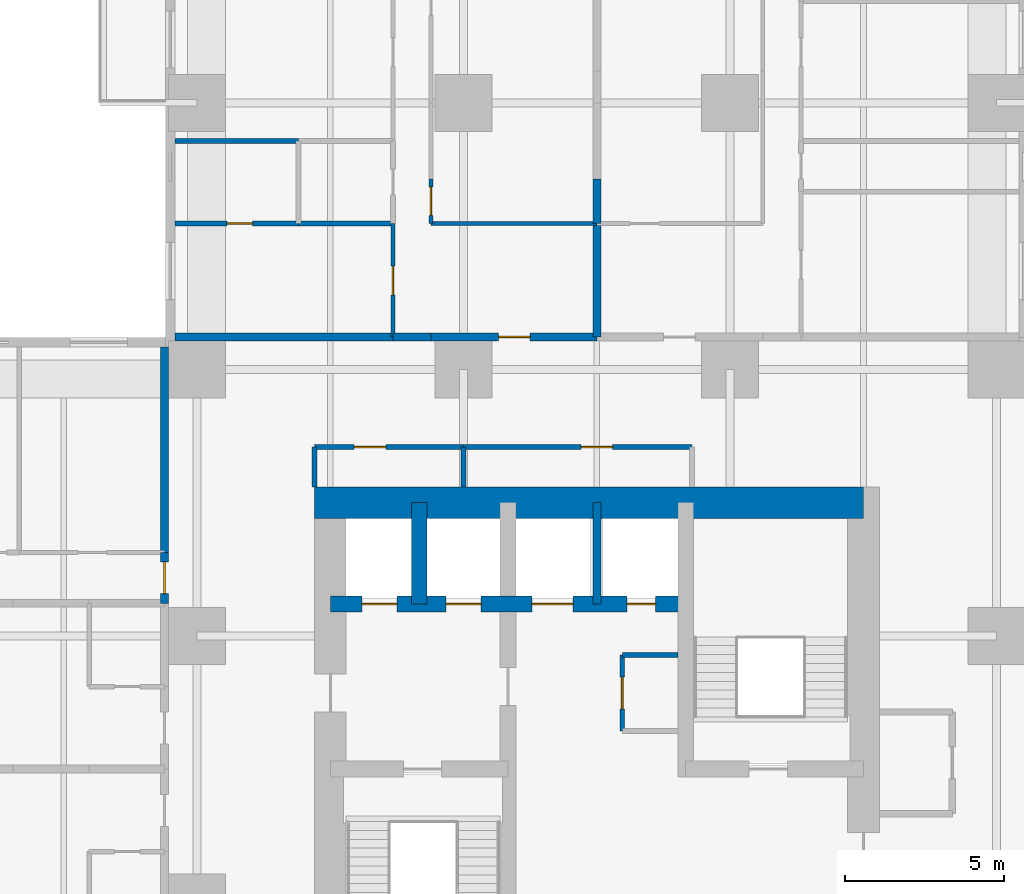
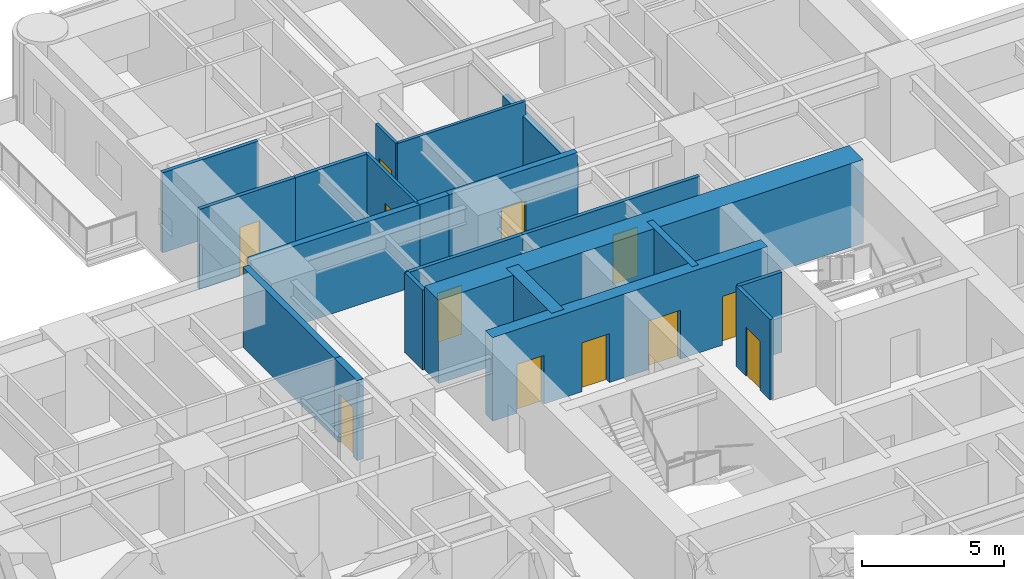
# One storey, part 12 of 17: 23 walls, 12 doors, 12 openings.
"""IFC4 building model written with IfcOpenShell, lengths in metres."""

import ifcopenshell
import ifcopenshell.guid

model = None  # the IFC model being written
_history = None  # IfcOwnerHistory: only IFC2X3 demands one
_inside = {}  # id of a spatial element -> (the spatial element, [elements in it])
_under = {}  # id of a project, library or spatial element -> (it, [spatial elements below it])
_declared = {}  # id of a project -> (the project, [libraries it declares])
_typed = {}  # id of a type object -> (the type object, [elements of that type])
_made_of = {}  # id of a material, layer set ... -> (it, [elements and type objects made of it])


def new_model(schema):
    """Start an empty IFC model of exactly this schema.

    Asked for "IFC4X3", IfcOpenShell would pick the latest addendum, in which some entities
    have other attributes; the version numbers below select the first issue.
    IFC2X3 requires an IfcOwnerHistory on every rooted entity: one is made here for all.
    """
    global model, _history
    if schema == "IFC4X3":
        model = ifcopenshell.file(schema_version=(4, 3, 0, 0))
    else:
        model = ifcopenshell.file(schema=schema)
    _inside.clear()
    _under.clear()
    _declared.clear()
    _typed.clear()
    _made_of.clear()
    _history = None
    if model.schema == "IFC2X3":
        org = make("IfcOrganization", Name="unknown")
        user = make(
            "IfcPersonAndOrganization",
            ThePerson=make("IfcPerson", FamilyName="unknown"),
            TheOrganization=org,
        )
        app = make(
            "IfcApplication",
            ApplicationDeveloper=org,
            Version="unknown",
            ApplicationFullName="unknown",
            ApplicationIdentifier="unknown",
        )
        _history = make(
            "IfcOwnerHistory",
            OwningUser=user,
            OwningApplication=app,
            ChangeAction="ADDED",
            CreationDate=0,
        )
    return model


def make(cls, **values):
    """One entity of the class cls with the attributes given. An attribute that is None is left unset."""
    return model.create_entity(
        cls, **{name: value for name, value in values.items() if value is not None}
    )


def rooted(cls, **values):
    """An entity with a GlobalId (a new one), such as an element, a storey or a relation."""
    return make(cls, GlobalId=ifcopenshell.guid.new(), OwnerHistory=_history, **values)


def si_unit(unit_type, name, prefix=None):
    """IfcSIUnit, for example si_unit("LENGTHUNIT", "METRE", prefix="MILLI")."""
    return make("IfcSIUnit", UnitType=unit_type, Prefix=prefix, Name=name)


def assignment(units):
    """IfcUnitAssignment: the units of a project."""
    return None if units is None else make("IfcUnitAssignment", Units=units)


def point(xyz):
    """IfcCartesianPoint."""
    return None if xyz is None else make("IfcCartesianPoint", Coordinates=xyz)


def direction(xyz):
    """IfcDirection."""
    return None if xyz is None else make("IfcDirection", DirectionRatios=xyz)


def frame(location, z_axis=None, x_axis=None):
    """IfcAxis2Placement3D, a coordinate frame: its origin and axes. An axis left out is left unset."""
    return make(
        "IfcAxis2Placement3D",
        Location=point(location),
        Axis=direction(z_axis),
        RefDirection=direction(x_axis),
    )


def frame_2d(location, x_axis=None):
    """IfcAxis2Placement2D, a coordinate frame in the plane: its origin and x axis."""
    return make(
        "IfcAxis2Placement2D", Location=point(location), RefDirection=direction(x_axis)
    )


def origin():
    """The frame at (0, 0, 0) with its axes left unset."""
    return frame((0.0, 0.0, 0.0))


def place(relative_to, where):
    """IfcLocalPlacement: puts the frame where relative to a parent placement (None: the world)."""
    return make(
        "IfcLocalPlacement", PlacementRelTo=relative_to, RelativePlacement=where
    )


def context(
    kind, dimensions, precision=None, world=None, true_north=None, identifier=None
):
    """IfcGeometricRepresentationContext, for example the 3D "Model" context."""
    return make(
        "IfcGeometricRepresentationContext",
        ContextIdentifier=identifier,
        ContextType=kind,
        CoordinateSpaceDimension=dimensions,
        Precision=precision,
        WorldCoordinateSystem=world,
        TrueNorth=true_north,
    )


def subcontext(parent, identifier, kind, view, scale=None):
    """IfcGeometricRepresentationSubContext, for example "Body" below "Model"."""
    return make(
        "IfcGeometricRepresentationSubContext",
        ContextIdentifier=identifier,
        ContextType=kind,
        ParentContext=parent,
        TargetScale=scale,
        TargetView=view,
    )


def project(units=None, contexts=None):
    """IfcProject with its units and contexts."""
    return rooted(
        "IfcProject",
        Name="project",
        RepresentationContexts=contexts,
        UnitsInContext=assignment(units),
    )


def spatial(cls, under=None, at=None, **own):
    """A site, building, storey or space (cls), placed at a placement, below another one or the project."""
    s = rooted(cls, ObjectPlacement=at, **own)
    if under is not None:
        _under.setdefault(under.id(), (under, []))[1].append(s)
    return s


def profile(cls, at=None, kind="AREA", **sizes):
    """A parametric profile (cls). Its sizes go by their IFC names, for example OverallWidth=200.0."""
    return make(cls, ProfileType=kind, Position=at, **sizes)


def rectangle(**sizes):
    """IfcRectangleProfileDef."""
    return profile("IfcRectangleProfileDef", **sizes)


def extrude(swept, where, along, depth):
    """IfcExtrudedAreaSolid: the profile swept, set in the frame where, extruded along a direction by depth."""
    return make(
        "IfcExtrudedAreaSolid",
        SweptArea=swept,
        Position=where,
        ExtrudedDirection=direction(along),
        Depth=depth,
    )


def shape(context_of_items, identifier, shape_type, items):
    """IfcShapeRepresentation: the items that make up one representation, for example the "Body"."""
    return make(
        "IfcShapeRepresentation",
        ContextOfItems=context_of_items,
        RepresentationIdentifier=identifier,
        RepresentationType=shape_type,
        Items=items,
    )


def material(Name=None, Category=None):
    """IfcMaterial."""
    return make("IfcMaterial", Name=Name, Category=Category)


def layer(
    of_material, thickness, ventilated=None, Name=None, Category=None, Priority=None
):
    """IfcMaterialLayer: one layer of a wall or slab, of a material (None: an air gap)."""
    return make(
        "IfcMaterialLayer",
        Material=of_material,
        LayerThickness=thickness,
        IsVentilated=ventilated,
        Name=Name,
        Category=Category,
        Priority=Priority,
    )


def layer_set(layers, Name=None):
    """IfcMaterialLayerSet."""
    return make("IfcMaterialLayerSet", MaterialLayers=layers, LayerSetName=Name)


def made_of(thing, what):
    """Note that an element or type object is made of a material, layer set ...; save() writes the relation."""
    if what is not None:
        _made_of.setdefault(what.id(), (what, []))[1].append(thing)
    return thing


def type_object(cls, material=None, **own):
    """A type object (cls), such as IfcWallType, which elements share."""
    return made_of(rooted(cls, **own), material)


def element(
    cls,
    number,
    at=None,
    inside=None,
    cuts=None,
    type_object=None,
    material=None,
    context=None,
    identifier="Body",
    shape_type=None,
    held_by="IfcProductDefinitionShape",
    body=None,
    shapes=None,
    **own,
):
    """One element of the class cls, such as IfcWall. Its Tag is "e" and its number.

    at: its placement. inside: the storey or other place that contains it. cuts: it is an
    opening in that element (IfcRelVoidsElement). A single representation is given by context,
    identifier, shape_type and body (its items); several are given by shapes. held_by: the class
    of the entity that holds the representations. save() writes the other relations.
    """
    e = rooted(cls, Tag="e%d" % number, ObjectPlacement=at, **own)
    if body is not None:
        shapes = [shape(context, identifier, shape_type, body)]
    if shapes is not None:
        e.Representation = make(held_by, Representations=shapes)
    if inside is not None:
        _inside.setdefault(inside.id(), (inside, []))[1].append(e)
    if cuts is not None:
        rooted(
            "IfcRelVoidsElement", RelatingBuildingElement=cuts, RelatedOpeningElement=e
        )
    if type_object is not None:
        _typed.setdefault(type_object.id(), (type_object, []))[1].append(e)
    return made_of(e, material)


def fill(opening, filler):
    """IfcRelFillsElement: the door or window that sits in an opening."""
    return rooted(
        "IfcRelFillsElement",
        RelatingOpeningElement=opening,
        RelatedBuildingElement=filler,
    )


def aggregate(whole, parts):
    """IfcRelAggregates: a whole, such as a stair, and the parts it consists of."""
    return rooted("IfcRelAggregates", RelatingObject=whole, RelatedObjects=parts)


def save(model, path):
    """Write the relations noted so far, then the file.

    IfcRelAggregates (storeys below a building ...), IfcRelContainedInSpatialStructure (elements
    in a storey), IfcRelDefinesByType, IfcRelAssociatesMaterial and IfcRelDeclares: one each for
    every whole, place, type object, material and project.
    """
    for whole, parts in _under.values():
        aggregate(whole, parts)
    for where, things in _inside.values():
        rooted(
            "IfcRelContainedInSpatialStructure",
            RelatedElements=things,
            RelatingStructure=where,
        )
    for kind, things in _typed.values():
        rooted("IfcRelDefinesByType", RelatedObjects=things, RelatingType=kind)
    for what, things in _made_of.values():
        rooted("IfcRelAssociatesMaterial", RelatedObjects=things, RelatingMaterial=what)
    for by, libraries in _declared.values():
        rooted("IfcRelDeclares", RelatingContext=by, RelatedDefinitions=libraries)
    model.write(path)


model = new_model("IFC4")

# Units and contexts
model_context = context("Model", 3, precision=1e-05, world=origin(), true_north=direction((0.0, 1.0)))
body_context = subcontext(model_context, "Body", "Model", "MODEL_VIEW")
ifc_project = project(units=[si_unit("LENGTHUNIT", "METRE"), si_unit("AREAUNIT", "SQUARE_METRE"), si_unit("VOLUMEUNIT", "CUBIC_METRE"), si_unit("PLANEANGLEUNIT", "RADIAN"), si_unit("MASSUNIT", "GRAM", prefix="KILO")], contexts=[model_context])

# Site, building, storey
site_placement = place(None, origin())
site = spatial("IfcSite", under=ifc_project, at=site_placement, CompositionType="ELEMENT")
building_placement = place(site_placement, origin())
building = spatial("IfcBuilding", under=site, at=building_placement, Name="Torre Alcanfor", CompositionType="ELEMENT")
storey_placement = place(building_placement, frame((0.0, 0.0, 74.10009765625)))
storey = spatial("IfcBuildingStorey", under=building, at=storey_placement, Name="L18", CompositionType="ELEMENT", Elevation=74.10009765625)

# Wall, opening, door
ifc_material_1 = material(Name="Concrete block masonry, hollow blocks NMX-C-404 9 MPa", Category="masonry")
ifc_layer_1 = layer(ifc_material_1, 0.25)
ifc_layer_set_1 = layer_set([ifc_layer_1], Name="Apartment entrance wall 250 EI 60")
wall_type_1 = type_object("IfcWallType", Name="Apartment entrance wall 250 EI 60", PredefinedType="PARTITIONING", material=ifc_layer_set_1)
wall_1_placement = place(storey_placement, frame((24.1708984375, 43.02490234375, 0.0), z_axis=(0.0, 0.0, 1.0), x_axis=(1.0, 0.0, 0.0)))
wall_1 = element("IfcWall", 1, at=wall_1_placement, inside=storey, type_object=wall_type_1, Name="Partition L18-CORR / L18-N1-ZAG", PredefinedType="PARTITIONING", context=body_context, shape_type="SweptSolid", body=[
    extrude(rectangle(XDim=5.22900390625, YDim=0.25, at=frame_2d((2.614501953125, 0.0))), origin(), (0.0, 0.0, 1.0), 3.449951171875),
])
opening_1_placement = place(wall_1_placement, frame((2.12890625, 0.0, 0.0)))
opening_1 = element("IfcOpeningElement", 2, at=opening_1_placement, cuts=wall_1, Name="Opening D-A1", PredefinedType="OPENING", context=body_context, shape_type="SweptSolid", body=[
    extrude(rectangle(XDim=1.0, YDim=2.10009765625, at=frame_2d((0.5, 1.050048828125))), frame((0.0, 0.135009765625, 0.0), z_axis=(0.0, -1.0, 0.0), x_axis=(1.0, 0.0, 0.0)), (0.0, 0.0, 1.0), 0.27001953125),
])
ifc_material_2 = material(Name="Galvanised steel sheet ASTM A653", Category="steel")
door_type_1 = type_object("IfcDoorType", Name="Apartment entrance door FD60 1000x2100", OperationType="SINGLE_SWING_LEFT", PredefinedType="DOOR", material=ifc_material_2)
door_1_placement = place(opening_1_placement, origin())
door_1 = element("IfcDoor", 3, at=door_1_placement, inside=storey, type_object=door_type_1, Name="Apartment entrance L18-N1", OperationType="SINGLE_SWING_RIGHT", OverallHeight=2.10009765625, OverallWidth=1.0, PredefinedType="DOOR", context=body_context, shape_type="SweptSolid", body=[
    extrude(rectangle(XDim=1.0, YDim=2.10009765625, at=frame_2d((0.5, 1.050048828125))), frame((0.0, 0.02490234375, 0.0), z_axis=(0.0, -1.0, 0.0), x_axis=(1.0, 0.0, 0.0)), (0.0, 0.0, 1.0), 0.050048828125),
])
fill(opening_1, door_1)

# Walls
wall_2_placement = place(storey_placement, frame((22.970947265625, 43.02490234375, 0.0), z_axis=(0.0, 0.0, 1.0), x_axis=(1.0, 0.0, 0.0)))
element("IfcWall", 4, at=wall_2_placement, inside=storey, type_object=wall_type_1, Name="Partition L18-CORR / L18-N1-HALL", PredefinedType="PARTITIONING", context=body_context, shape_type="SweptSolid", body=[
    extrude(rectangle(XDim=1.199951171875, YDim=0.25, at=frame_2d((0.60009765625, 0.0))), origin(), (0.0, 0.0, 1.0), 3.449951171875),
])
wall_3_placement = place(storey_placement, frame((16.10009765625, 43.02490234375, 0.0), z_axis=(0.0, 0.0, 1.0), x_axis=(1.0, 0.0, 0.0)))
element("IfcWall", 5, at=wall_3_placement, inside=storey, type_object=wall_type_1, Name="Partition L18-CORR / L18-N1-SERV", PredefinedType="PARTITIONING", context=body_context, shape_type="SweptSolid", body=[
    extrude(rectangle(XDim=6.870849609375, YDim=0.25, at=frame_2d((3.435546875, 0.0))), origin(), (0.0, 0.0, 1.0), 3.449951171875),
])

# Wall, opening, door
wall_4_placement = place(storey_placement, frame((15.77490234375, 34.62890625, 0.0), z_axis=(0.0, 0.0, 1.0), x_axis=(0.0, 1.0, 0.0)))
wall_4 = element("IfcWall", 6, at=wall_4_placement, inside=storey, type_object=wall_type_1, Name="Partition L18-CORR / L18-W2B-HALL", PredefinedType="PARTITIONING", context=body_context, shape_type="SweptSolid", body=[
    extrude(rectangle(XDim=1.60009765625, YDim=0.25, at=frame_2d((0.800048828125, 0.0))), origin(), (0.0, 0.0, 1.0), 3.449951171875),
])
opening_2_placement = place(wall_4_placement, frame((0.300048828125, 0.0, 0.0)))
opening_2 = element("IfcOpeningElement", 7, at=opening_2_placement, cuts=wall_4, Name="Opening D-A1", PredefinedType="OPENING", context=body_context, shape_type="SweptSolid", body=[
    extrude(rectangle(XDim=1.0, YDim=2.10009765625, at=frame_2d((0.5, 1.050048828125))), frame((0.0, 0.135009765625, 0.0), z_axis=(0.0, -1.0, 0.0), x_axis=(1.0, 0.0, 0.0)), (0.0, 0.0, 1.0), 0.27001953125),
])
door_2_placement = place(opening_2_placement, origin())
door_2 = element("IfcDoor", 8, at=door_2_placement, inside=storey, type_object=door_type_1, Name="Apartment entrance L18-W2B", OperationType="SINGLE_SWING_LEFT", OverallHeight=2.10009765625, OverallWidth=1.0, PredefinedType="DOOR", context=body_context, shape_type="SweptSolid", body=[
    extrude(rectangle(XDim=1.0, YDim=2.10009765625, at=frame_2d((0.5, 1.050048828125))), frame((0.0, 0.02490234375, 0.0), z_axis=(0.0, -1.0, 0.0), x_axis=(1.0, 0.0, 0.0)), (0.0, 0.0, 1.0), 0.050048828125),
])
fill(opening_2, door_2)

# Walls
wall_5_placement = place(storey_placement, frame((15.77490234375, 36.22900390625, 0.0), z_axis=(0.0, 0.0, 1.0), x_axis=(0.0, 1.0, 0.0)))
element("IfcWall", 9, at=wall_5_placement, inside=storey, type_object=wall_type_1, Name="Partition L18-CORR / L18-W2B-MASTER", PredefinedType="PARTITIONING", context=body_context, shape_type="SweptSolid", body=[
    extrude(rectangle(XDim=6.470947265625, YDim=0.25, at=frame_2d((3.2353515625, 0.0))), origin(), (0.0, 0.0, 1.0), 3.449951171875),
])
ifc_material_3 = material(Name="Gypsum board on steel studs", Category="steel")
ifc_layer_2 = layer(ifc_material_3, 0.1201171875)
ifc_layer_set_2 = layer_set([ifc_layer_2], Name="Apartment partition 120")
wall_type_2 = type_object("IfcWallType", Name="Apartment partition 120", PredefinedType="PARTITIONING", material=ifc_layer_set_2)
wall_6_placement = place(storey_placement, frame((29.39990234375, 46.60009765625, 0.0), z_axis=(0.0, 0.0, 1.0), x_axis=(-1.0, 0.0, 0.0)))
element("IfcWall", 10, at=wall_6_placement, inside=storey, type_object=wall_type_2, Name="Partition L18-N1-ZAG / L18-N1-LAUND", PredefinedType="PARTITIONING", context=body_context, shape_type="SweptSolid", body=[
    extrude(rectangle(XDim=5.22900390625, YDim=0.1201171875, at=frame_2d((2.614501953125, 0.0))), origin(), (0.0, 0.0, 1.0), 3.449951171875),
])

# Wall, opening, door
wall_7_placement = place(storey_placement, frame((24.1708984375, 48.0, 0.0), z_axis=(0.0, 0.0, 1.0), x_axis=(0.0, -1.0, 0.0)))
wall_7 = element("IfcWall", 11, at=wall_7_placement, inside=storey, type_object=wall_type_2, Name="Partition L18-N1-LAUND / L18-N1-HALL", PredefinedType="PARTITIONING", context=body_context, shape_type="SweptSolid", body=[
    extrude(rectangle(XDim=1.39990234375, YDim=0.1201171875, at=frame_2d((0.699951171875, 0.0))), origin(), (0.0, 0.0, 1.0), 3.449951171875),
])
opening_3_placement = place(wall_7_placement, frame((0.25, 0.0, 0.0)))
opening_3 = element("IfcOpeningElement", 12, at=opening_3_placement, cuts=wall_7, Name="Opening D-R1", PredefinedType="OPENING", context=body_context, shape_type="SweptSolid", body=[
    extrude(rectangle(XDim=0.89990234375, YDim=2.10009765625, at=frame_2d((0.449951171875, 1.050048828125))), frame((0.0, 0.070068359375, 0.0), z_axis=(0.0, -1.0, 0.0), x_axis=(1.0, 0.0, 0.0)), (0.0, 0.0, 1.0), 0.14013671875),
])
ifc_material_4 = material(Name="Timber", Category="wood")
door_type_2 = type_object("IfcDoorType", Name="Internal door 900x2100", OperationType="SINGLE_SWING_LEFT", PredefinedType="DOOR", material=ifc_material_4)
door_3_placement = place(opening_3_placement, origin())
door_3 = element("IfcDoor", 13, at=door_3_placement, inside=storey, type_object=door_type_2, Name="Door L18-N1 laund", OperationType="SINGLE_SWING_LEFT", OverallHeight=2.10009765625, OverallWidth=0.89990234375, PredefinedType="DOOR", context=body_context, shape_type="SweptSolid", body=[
    extrude(rectangle(XDim=0.89990234375, YDim=2.10009765625, at=frame_2d((0.449951171875, 1.050048828125))), frame((0.0, 0.02490234375, 0.0), z_axis=(0.0, -1.0, 0.0), x_axis=(1.0, 0.0, 0.0)), (0.0, 0.0, 1.0), 0.050048828125),
])
fill(opening_3, door_3)

wall_8_placement = place(storey_placement, frame((22.970947265625, 46.60009765625, 0.0), z_axis=(0.0, 0.0, 1.0), x_axis=(0.0, -1.0, 0.0)))
wall_8 = element("IfcWall", 14, at=wall_8_placement, inside=storey, type_object=wall_type_2, Name="Partition L18-N1-HALL / L18-N1-SERV", PredefinedType="PARTITIONING", context=body_context, shape_type="SweptSolid", body=[
    extrude(rectangle(XDim=3.5751953125, YDim=0.1201171875, at=frame_2d((1.78759765625, 0.0))), origin(), (0.0, 0.0, 1.0), 3.449951171875),
])
opening_4_placement = place(wall_8_placement, frame((1.35009765625, 0.0, 0.0)))
opening_4 = element("IfcOpeningElement", 15, at=opening_4_placement, cuts=wall_8, Name="Opening D-R1", PredefinedType="OPENING", context=body_context, shape_type="SweptSolid", body=[
    extrude(rectangle(XDim=0.89990234375, YDim=2.10009765625, at=frame_2d((0.449951171875, 1.050048828125))), frame((0.0, 0.070068359375, 0.0), z_axis=(0.0, -1.0, 0.0), x_axis=(1.0, 0.0, 0.0)), (0.0, 0.0, 1.0), 0.14013671875),
])
door_4_placement = place(opening_4_placement, frame((0.89990234375, 0.0, 0.0), z_axis=(0.0, 0.0, 1.0), x_axis=(-1.0, 0.0, 0.0)))
door_4 = element("IfcDoor", 16, at=door_4_placement, inside=storey, type_object=door_type_2, Name="Door L18-N1 serv", OperationType="SINGLE_SWING_LEFT", OverallHeight=2.10009765625, OverallWidth=0.89990234375, PredefinedType="DOOR", context=body_context, shape_type="SweptSolid", body=[
    extrude(rectangle(XDim=0.89990234375, YDim=2.10009765625, at=frame_2d((0.449951171875, 1.050048828125))), frame((0.0, 0.025146484375, 0.0), z_axis=(0.0, -1.0, 0.0), x_axis=(1.0, 0.0, 0.0)), (0.0, 0.0, 1.0), 0.050048828125),
])
fill(opening_4, door_4)

# Wall, openings, doors
ifc_material_5 = material(Name="Concrete f'c 70 MPa", Category="concrete")
ifc_layer_3 = layer(ifc_material_5, 0.5)
ifc_layer_set_3 = layer_set([ifc_layer_3], Name="Core inner wall 500 f'c70")
wall_type_3 = type_object("IfcWallType", Name="Core inner wall 500 f'c70", PredefinedType="SHEAR", material=ifc_layer_set_3)
wall_9_placement = place(storey_placement, frame((21.0, 34.60009765625, 0.0), z_axis=(0.0, 0.0, 1.0), x_axis=(1.0, 0.0, 0.0)))
wall_9 = element("IfcWall", 17, at=wall_9_placement, inside=storey, type_object=wall_type_3, Name="Core wall Y346 L18", PredefinedType="SHEAR", context=body_context, shape_type="SweptSolid", body=[
    extrude(rectangle(XDim=11.199951171875, YDim=0.5, at=frame_2d((5.60009765625, 0.0))), origin(), (0.0, 0.0, 1.0), 3.599853515625),
])
opening_5_placement = place(wall_9_placement, frame((9.35009765625, 0.0, 0.0)))
opening_5 = element("IfcOpeningElement", 18, at=opening_5_placement, cuts=wall_9, Name="Opening D-Q1", PredefinedType="OPENING", context=body_context, shape_type="SweptSolid", body=[
    extrude(rectangle(XDim=0.89990234375, YDim=2.10009765625, at=frame_2d((0.449951171875, 1.050048828125))), frame((0.0, 0.260009765625, 0.0), z_axis=(0.0, -1.0, 0.0), x_axis=(1.0, 0.0, 0.0)), (0.0, 0.0, 1.0), 0.52001953125),
])
opening_6_placement = place(wall_9_placement, frame((1.0, 0.0, 0.0)))
opening_6 = element("IfcOpeningElement", 19, at=opening_6_placement, cuts=wall_9, Name="Opening LD2", PredefinedType="OPENING", context=body_context, shape_type="SweptSolid", body=[
    extrude(rectangle(XDim=1.10009765625, YDim=2.10009765625, at=frame_2d((0.550048828125, 1.050048828125))), frame((0.0, 0.260009765625, 0.0), z_axis=(0.0, -1.0, 0.0), x_axis=(1.0, 0.0, 0.0)), (0.0, 0.0, 1.0), 0.52001953125),
])
opening_7_placement = place(wall_9_placement, frame((3.64990234375, 0.0, 0.0)))
opening_7 = element("IfcOpeningElement", 20, at=opening_7_placement, cuts=wall_9, Name="Opening LD2", PredefinedType="OPENING", context=body_context, shape_type="SweptSolid", body=[
    extrude(rectangle(XDim=1.10009765625, YDim=2.10009765625, at=frame_2d((0.550048828125, 1.050048828125))), frame((0.0, 0.260009765625, 0.0), z_axis=(0.0, -1.0, 0.0), x_axis=(1.0, 0.0, 0.0)), (0.0, 0.0, 1.0), 0.52001953125),
])
opening_8_placement = place(wall_9_placement, frame((6.35009765625, 0.0, 0.0)))
opening_8 = element("IfcOpeningElement", 21, at=opening_8_placement, cuts=wall_9, Name="Opening LD3", PredefinedType="OPENING", context=body_context, shape_type="SweptSolid", body=[
    extrude(rectangle(XDim=1.300048828125, YDim=2.10009765625, at=frame_2d((0.64990234375, 1.050048828125))), frame((0.0, 0.260009765625, 0.0), z_axis=(0.0, -1.0, 0.0), x_axis=(1.0, 0.0, 0.0)), (0.0, 0.0, 1.0), 0.52001953125),
])
ifc_material_6 = material(Name="Galvanised steel sheet ASTM A653", Category="steel")
door_type_3 = type_object("IfcDoorType", Name="Firefighting lift landing door 1100x2100", OperationType="DOUBLE_DOOR_SLIDING", PredefinedType="DOOR", material=ifc_material_6)
door_5_placement = place(opening_6_placement, origin())
door_5 = element("IfcDoor", 22, at=door_5_placement, inside=storey, type_object=door_type_3, Name="Lift landing door FL1 L18", OperationType="DOUBLE_DOOR_SLIDING", OverallHeight=2.10009765625, OverallWidth=1.10009765625, PredefinedType="DOOR", context=body_context, shape_type="SweptSolid", body=[
    extrude(rectangle(XDim=1.10009765625, YDim=2.10009765625, at=frame_2d((0.550048828125, 1.050048828125))), frame((0.0, 0.02490234375, 0.0), z_axis=(0.0, -1.0, 0.0), x_axis=(1.0, 0.0, 0.0)), (0.0, 0.0, 1.0), 0.050048828125),
])
fill(opening_6, door_5)
door_6_placement = place(opening_7_placement, origin())
door_6 = element("IfcDoor", 23, at=door_6_placement, inside=storey, type_object=door_type_3, Name="Lift landing door FL2 L18", OperationType="DOUBLE_DOOR_SLIDING", OverallHeight=2.10009765625, OverallWidth=1.10009765625, PredefinedType="DOOR", context=body_context, shape_type="SweptSolid", body=[
    extrude(rectangle(XDim=1.10009765625, YDim=2.10009765625, at=frame_2d((0.550048828125, 1.050048828125))), frame((0.0, 0.02490234375, 0.0), z_axis=(0.0, -1.0, 0.0), x_axis=(1.0, 0.0, 0.0)), (0.0, 0.0, 1.0), 0.050048828125),
])
fill(opening_7, door_6)
ifc_material_7 = material(Name="Galvanised steel sheet ASTM A653", Category="steel")
door_type_4 = type_object("IfcDoorType", Name="Riser access door FD120 900x2100", OperationType="SINGLE_SWING_LEFT", PredefinedType="DOOR", material=ifc_material_7)
door_7_placement = place(opening_5_placement, origin())
door_7 = element("IfcDoor", 24, at=door_7_placement, inside=storey, type_object=door_type_4, Name="Riser door L18", OperationType="SINGLE_SWING_LEFT", OverallHeight=2.10009765625, OverallWidth=0.89990234375, PredefinedType="DOOR", context=body_context, shape_type="SweptSolid", body=[
    extrude(rectangle(XDim=0.89990234375, YDim=2.10009765625, at=frame_2d((0.449951171875, 1.050048828125))), frame((0.0, 0.02490234375, 0.0), z_axis=(0.0, -1.0, 0.0), x_axis=(1.0, 0.0, 0.0)), (0.0, 0.0, 1.0), 0.050048828125),
])
fill(opening_5, door_7)
ifc_material_8 = material(Name="Galvanised steel sheet ASTM A653", Category="steel")
door_type_5 = type_object("IfcDoorType", Name="Service lift landing door 1300x2100", OperationType="DOUBLE_DOOR_SLIDING", PredefinedType="DOOR", material=ifc_material_8)
door_8_placement = place(opening_8_placement, origin())
door_8 = element("IfcDoor", 25, at=door_8_placement, inside=storey, type_object=door_type_5, Name="Lift landing door SL1 L18", OperationType="DOUBLE_DOOR_SLIDING", OverallHeight=2.10009765625, OverallWidth=1.300048828125, PredefinedType="DOOR", context=body_context, shape_type="SweptSolid", body=[
    extrude(rectangle(XDim=1.300048828125, YDim=2.10009765625, at=frame_2d((0.64990234375, 1.050048828125))), frame((0.0, 0.02490234375, 0.0), z_axis=(0.0, -1.0, 0.0), x_axis=(1.0, 0.0, 0.0)), (0.0, 0.0, 1.0), 0.050048828125),
])
fill(opening_8, door_8)

# Walls
wall_10_placement = place(storey_placement, frame((23.800048828125, 34.60009765625, 0.0), z_axis=(0.0, 0.0, 1.0), x_axis=(0.0, 1.0, 0.0)))
element("IfcWall", 26, at=wall_10_placement, inside=storey, type_object=wall_type_3, Name="Core wall X238 L18", PredefinedType="SHEAR", context=body_context, shape_type="SweptSolid", body=[
    extrude(rectangle(XDim=3.199951171875, YDim=0.5, at=frame_2d((1.60009765625, 0.0))), origin(), (0.0, 0.0, 1.0), 3.599853515625),
])
ifc_material_9 = material(Name="Concrete f'c 70 MPa", Category="concrete")
ifc_layer_4 = layer(ifc_material_9, 0.25)
ifc_layer_set_4 = layer_set([ifc_layer_4], Name="Core shaft wall 250 f'c70")
wall_type_4 = type_object("IfcWallType", Name="Core shaft wall 250 f'c70", PredefinedType="SHEAR", material=ifc_layer_set_4)
wall_11_placement = place(storey_placement, frame((29.39990234375, 34.60009765625, 0.0), z_axis=(0.0, 0.0, 1.0), x_axis=(0.0, 1.0, 0.0)))
element("IfcWall", 27, at=wall_11_placement, inside=storey, type_object=wall_type_4, Name="Core wall X294N L18", PredefinedType="SHEAR", context=body_context, shape_type="SweptSolid", body=[
    extrude(rectangle(XDim=3.199951171875, YDim=0.25, at=frame_2d((1.60009765625, 0.0))), origin(), (0.0, 0.0, 1.0), 3.599853515625),
])
ifc_material_10 = material(Name="Concrete f'c 70 MPa", Category="concrete")
ifc_layer_5 = layer(ifc_material_10, 1.0)
ifc_layer_set_5 = layer_set([ifc_layer_5], Name="Core wall 1000 f'c70")
wall_type_5 = type_object("IfcWallType", Name="Core wall 1000 f'c70", PredefinedType="SHEAR", material=ifc_layer_set_5)
wall_12_placement = place(storey_placement, frame((37.800048828125, 37.800048828125, 0.0), z_axis=(0.0, 0.0, 1.0), x_axis=(-1.0, 0.0, 0.0)))
element("IfcWall", 28, at=wall_12_placement, inside=storey, type_object=wall_type_5, Name="Core wall OUT-N L18", PredefinedType="SHEAR", context=body_context, shape_type="SweptSolid", body=[
    extrude(rectangle(XDim=17.300048828125, YDim=1.0, at=frame_2d((8.64990234375, 0.0))), origin(), (0.0, 0.0, 1.0), 3.599853515625),
])
ifc_material_11 = material(Name="Concrete block masonry, hollow blocks NMX-C-404 9 MPa", Category="masonry")
ifc_layer_6 = layer(ifc_material_11, 0.25)
ifc_layer_set_6 = layer_set([ifc_layer_6], Name="Party wall 250 EI 60")
wall_type_6 = type_object("IfcWallType", Name="Party wall 250 EI 60", PredefinedType="PARTITIONING", material=ifc_layer_set_6)
wall_13_placement = place(storey_placement, frame((29.39990234375, 43.02490234375, 0.0), z_axis=(0.0, 0.0, 1.0), x_axis=(0.0, 1.0, 0.0)))
element("IfcWall", 29, at=wall_13_placement, inside=storey, type_object=wall_type_6, Name="Partition L18-N1-ZAG / L18-N2-ZAG", PredefinedType="PARTITIONING", context=body_context, shape_type="SweptSolid", body=[
    extrude(rectangle(XDim=3.5751953125, YDim=0.25, at=frame_2d((1.78759765625, 0.0))), origin(), (0.0, 0.0, 1.0), 2.847900390625),
])
wall_14_placement = place(storey_placement, frame((29.39990234375, 46.60009765625, 0.0), z_axis=(0.0, 0.0, 1.0), x_axis=(0.0, 1.0, 0.0)))
element("IfcWall", 30, at=wall_14_placement, inside=storey, type_object=wall_type_6, Name="Partition L18-N1-LAUND / L18-N2-KITCHEN", PredefinedType="PARTITIONING", context=body_context, shape_type="SweptSolid", body=[
    extrude(rectangle(XDim=1.39990234375, YDim=0.25, at=frame_2d((0.699951171875, 0.0))), origin(), (0.0, 0.0, 1.0), 2.847900390625),
])

# Wall, opening, door
ifc_material_12 = material(Name="Concrete block masonry, hollow blocks NMX-C-404 9 MPa", Category="masonry")
ifc_layer_7 = layer(ifc_material_12, 0.14990234375)
ifc_layer_set_7 = layer_set([ifc_layer_7], Name="Residents' room partition 150")
wall_type_7 = type_object("IfcWallType", Name="Residents' room partition 150", PredefinedType="PARTITIONING", material=ifc_layer_set_7)
wall_15_placement = place(storey_placement, frame((25.199951171875, 39.550048828125, 0.0), z_axis=(0.0, 0.0, 1.0), x_axis=(-1.0, 0.0, 0.0)))
wall_15 = element("IfcWall", 31, at=wall_15_placement, inside=storey, type_object=wall_type_7, Name="Partition L18-CORR / L18-G01", PredefinedType="PARTITIONING", context=body_context, shape_type="SweptSolid", body=[
    extrude(rectangle(XDim=4.699951171875, YDim=0.14990234375, at=frame_2d((2.35009765625, 0.0))), origin(), (0.0, 0.0, 1.0), 3.449951171875),
])
opening_9_placement = place(wall_15_placement, frame((2.449951171875, 0.0, 0.0)))
opening_9 = element("IfcOpeningElement", 32, at=opening_9_placement, cuts=wall_15, Name="Opening D-M1", PredefinedType="OPENING", context=body_context, shape_type="SweptSolid", body=[
    extrude(rectangle(XDim=1.0, YDim=2.10009765625, at=frame_2d((0.5, 1.050048828125))), frame((0.0, 0.0849609375, 0.0), z_axis=(0.0, -1.0, 0.0), x_axis=(1.0, 0.0, 0.0)), (0.0, 0.0, 1.0), 0.169921875),
])
ifc_material_13 = material(Name="Timber", Category="wood")
door_type_6 = type_object("IfcDoorType", Name="Residents' room door 1000x2100", OperationType="SINGLE_SWING_LEFT", PredefinedType="DOOR", material=ifc_material_13)
door_9_placement = place(opening_9_placement, origin())
door_9 = element("IfcDoor", 33, at=door_9_placement, inside=storey, type_object=door_type_6, Name="Door L18-G01 cleaners' store", OperationType="SINGLE_SWING_RIGHT", OverallHeight=2.10009765625, OverallWidth=1.0, PredefinedType="DOOR", context=body_context, shape_type="SweptSolid", body=[
    extrude(rectangle(XDim=1.0, YDim=2.10009765625, at=frame_2d((0.5, 1.050048828125))), frame((0.0, 0.02490234375, 0.0), z_axis=(0.0, -1.0, 0.0), x_axis=(1.0, 0.0, 0.0)), (0.0, 0.0, 1.0), 0.050048828125),
])
fill(opening_9, door_9)

# Wall
wall_16_placement = place(storey_placement, frame((20.5, 39.550048828125, 0.0), z_axis=(0.0, 0.0, 1.0), x_axis=(0.0, -1.0, 0.0)))
element("IfcWall", 34, at=wall_16_placement, inside=storey, type_object=wall_type_7, Name="Partition L18-CORR / L18-G01", PredefinedType="PARTITIONING", context=body_context, shape_type="SweptSolid", body=[
    extrude(rectangle(XDim=1.25, YDim=0.14990234375, at=frame_2d((0.625, 0.0))), origin(), (0.0, 0.0, 1.0), 3.449951171875),
])

# Wall, opening, door
wall_17_placement = place(storey_placement, frame((32.39990234375, 39.550048828125, 0.0), z_axis=(0.0, 0.0, 1.0), x_axis=(-1.0, 0.0, 0.0)))
wall_17 = element("IfcWall", 35, at=wall_17_placement, inside=storey, type_object=wall_type_7, Name="Partition L18-CORR / L18-G02", PredefinedType="PARTITIONING", context=body_context, shape_type="SweptSolid", body=[
    extrude(rectangle(XDim=7.199951171875, YDim=0.14990234375, at=frame_2d((3.60009765625, 0.0))), origin(), (0.0, 0.0, 1.0), 3.449951171875),
])
opening_10_placement = place(wall_17_placement, frame((2.5, 0.0, 0.0)))
opening_10 = element("IfcOpeningElement", 36, at=opening_10_placement, cuts=wall_17, Name="Opening D-M1", PredefinedType="OPENING", context=body_context, shape_type="SweptSolid", body=[
    extrude(rectangle(XDim=1.0, YDim=2.10009765625, at=frame_2d((0.5, 1.050048828125))), frame((0.0, 0.0849609375, 0.0), z_axis=(0.0, -1.0, 0.0), x_axis=(1.0, 0.0, 0.0)), (0.0, 0.0, 1.0), 0.169921875),
])
door_10_placement = place(opening_10_placement, origin())
door_10 = element("IfcDoor", 37, at=door_10_placement, inside=storey, type_object=door_type_6, Name="Door L18-G02 pram and buggy store", OperationType="SINGLE_SWING_LEFT", OverallHeight=2.10009765625, OverallWidth=1.0, PredefinedType="DOOR", context=body_context, shape_type="SweptSolid", body=[
    extrude(rectangle(XDim=1.0, YDim=2.10009765625, at=frame_2d((0.5, 1.050048828125))), frame((0.0, 0.02490234375, 0.0), z_axis=(0.0, -1.0, 0.0), x_axis=(1.0, 0.0, 0.0)), (0.0, 0.0, 1.0), 0.050048828125),
])
fill(opening_10, door_10)

# Wall
wall_18_placement = place(storey_placement, frame((25.199951171875, 38.300048828125, 0.0), z_axis=(0.0, 0.0, 1.0), x_axis=(0.0, 1.0, 0.0)))
element("IfcWall", 38, at=wall_18_placement, inside=storey, type_object=wall_type_7, Name="Partition L18-G01 / L18-G02", PredefinedType="PARTITIONING", context=body_context, shape_type="SweptSolid", body=[
    extrude(rectangle(XDim=1.25, YDim=0.14990234375, at=frame_2d((0.625, 0.0))), origin(), (0.0, 0.0, 1.0), 2.7666015625),
])

# Wall, opening, door
wall_19_placement = place(storey_placement, frame((30.199951171875, 30.60009765625, 0.0), z_axis=(0.0, 0.0, 1.0), x_axis=(0.0, 1.0, 0.0)))
wall_19 = element("IfcWall", 39, at=wall_19_placement, inside=storey, type_object=wall_type_7, Name="Partition L18-LL / L18-CR1", PredefinedType="PARTITIONING", context=body_context, shape_type="SweptSolid", body=[
    extrude(rectangle(XDim=2.39990234375, YDim=0.14990234375, at=frame_2d((1.199951171875, 0.0))), origin(), (0.0, 0.0, 1.0), 3.449951171875),
])
opening_11_placement = place(wall_19_placement, frame((0.699951171875, 0.0, 0.0)))
opening_11 = element("IfcOpeningElement", 40, at=opening_11_placement, cuts=wall_19, Name="Opening D-M1", PredefinedType="OPENING", context=body_context, shape_type="SweptSolid", body=[
    extrude(rectangle(XDim=1.0, YDim=2.10009765625, at=frame_2d((0.5, 1.050048828125))), frame((0.0, 0.0849609375, 0.0), z_axis=(0.0, -1.0, 0.0), x_axis=(1.0, 0.0, 0.0)), (0.0, 0.0, 1.0), 0.169921875),
])
door_11_placement = place(opening_11_placement, frame((1.0, 0.0, 0.0), z_axis=(0.0, 0.0, 1.0), x_axis=(-1.0, 0.0, 0.0)))
door_11 = element("IfcDoor", 41, at=door_11_placement, inside=storey, type_object=door_type_6, Name="Vending and ice room door L18", OperationType="SINGLE_SWING_RIGHT", OverallHeight=2.10009765625, OverallWidth=1.0, PredefinedType="DOOR", context=body_context, shape_type="SweptSolid", body=[
    extrude(rectangle(XDim=1.0, YDim=2.10009765625, at=frame_2d((0.5, 1.050048828125))), frame((0.0, 0.025146484375, 0.0), z_axis=(0.0, -1.0, 0.0), x_axis=(1.0, 0.0, 0.0)), (0.0, 0.0, 1.0), 0.050048828125),
])
fill(opening_11, door_11)

# Walls
wall_20_placement = place(storey_placement, frame((30.199951171875, 33.0, 0.0), z_axis=(0.0, 0.0, 1.0), x_axis=(1.0, 0.0, 0.0)))
element("IfcWall", 42, at=wall_20_placement, inside=storey, type_object=wall_type_7, Name="Partition L18-LL / L18-CR1", PredefinedType="PARTITIONING", context=body_context, shape_type="SweptSolid", body=[
    extrude(rectangle(XDim=1.75, YDim=0.14990234375, at=frame_2d((0.875, 0.0))), origin(), (0.0, 0.0, 1.0), 3.449951171875),
])
ifc_material_14 = material(Name="Cement board on steel studs", Category="steel")
ifc_layer_8 = layer(ifc_material_14, 0.14990234375)
ifc_layer_set_8 = layer_set([ifc_layer_8], Name="Wet area partition 150")
wall_type_8 = type_object("IfcWallType", Name="Wet area partition 150", PredefinedType="PARTITIONING", material=ifc_layer_set_8)
wall_21_placement = place(storey_placement, frame((22.970947265625, 46.60009765625, 0.0), z_axis=(0.0, 0.0, 1.0), x_axis=(-1.0, 0.0, 0.0)))
element("IfcWall", 43, at=wall_21_placement, inside=storey, type_object=wall_type_8, Name="Partition L18-N1-SERV / L18-N1-BATH1", PredefinedType="PARTITIONING", context=body_context, shape_type="SweptSolid", body=[
    extrude(rectangle(XDim=2.970947265625, YDim=0.14990234375, at=frame_2d((1.4853515625, 0.0))), origin(), (0.0, 0.0, 1.0), 3.449951171875),
])

# Wall, opening, door
wall_22_placement = place(storey_placement, frame((20.0, 46.60009765625, 0.0), z_axis=(0.0, 0.0, 1.0), x_axis=(-1.0, 0.0, 0.0)))
wall_22 = element("IfcWall", 44, at=wall_22_placement, inside=storey, type_object=wall_type_8, Name="Partition L18-N1-SERV / L18-N1-SBATH", PredefinedType="PARTITIONING", context=body_context, shape_type="SweptSolid", body=[
    extrude(rectangle(XDim=3.89990234375, YDim=0.14990234375, at=frame_2d((1.949951171875, 0.0))), origin(), (0.0, 0.0, 1.0), 3.449951171875),
])
opening_12_placement = place(wall_22_placement, frame((1.449951171875, 0.0, 0.0)))
opening_12 = element("IfcOpeningElement", 45, at=opening_12_placement, cuts=wall_22, Name="Opening D-R2", PredefinedType="OPENING", context=body_context, shape_type="SweptSolid", body=[
    extrude(rectangle(XDim=0.800048828125, YDim=2.10009765625, at=frame_2d((0.39990234375, 1.050048828125))), frame((0.0, 0.0849609375, 0.0), z_axis=(0.0, -1.0, 0.0), x_axis=(1.0, 0.0, 0.0)), (0.0, 0.0, 1.0), 0.169921875),
])
ifc_material_15 = material(Name="Timber", Category="wood")
door_type_7 = type_object("IfcDoorType", Name="Bathroom door 800x2100", OperationType="SINGLE_SWING_LEFT", PredefinedType="DOOR", material=ifc_material_15)
door_12_placement = place(opening_12_placement, frame((0.800048828125, 0.0, 0.0), z_axis=(0.0, 0.0, 1.0), x_axis=(-1.0, 0.0, 0.0)))
door_12 = element("IfcDoor", 46, at=door_12_placement, inside=storey, type_object=door_type_7, Name="Door L18-N1 sbath", OperationType="SINGLE_SWING_RIGHT", OverallHeight=2.10009765625, OverallWidth=0.800048828125, PredefinedType="DOOR", context=body_context, shape_type="SweptSolid", body=[
    extrude(rectangle(XDim=0.800048828125, YDim=2.10009765625, at=frame_2d((0.400146484375, 1.050048828125))), frame((0.0, 0.025146484375, 0.0), z_axis=(0.0, -1.0, 0.0), x_axis=(1.0, 0.0, 0.0)), (0.0, 0.0, 1.0), 0.050048828125),
])
fill(opening_12, door_12)

# Wall
wall_23_placement = place(storey_placement, frame((20.0, 49.199951171875, 0.0), z_axis=(0.0, 0.0, 1.0), x_axis=(-1.0, 0.0, 0.0)))
element("IfcWall", 47, at=wall_23_placement, inside=storey, type_object=wall_type_8, Name="Partition L18-N1-SBATH / L18-N1-BED3", PredefinedType="PARTITIONING", context=body_context, shape_type="SweptSolid", body=[
    extrude(rectangle(XDim=3.89990234375, YDim=0.14990234375, at=frame_2d((1.949951171875, 0.0))), origin(), (0.0, 0.0, 1.0), 3.449951171875),
])

save(model, "model.ifc")
